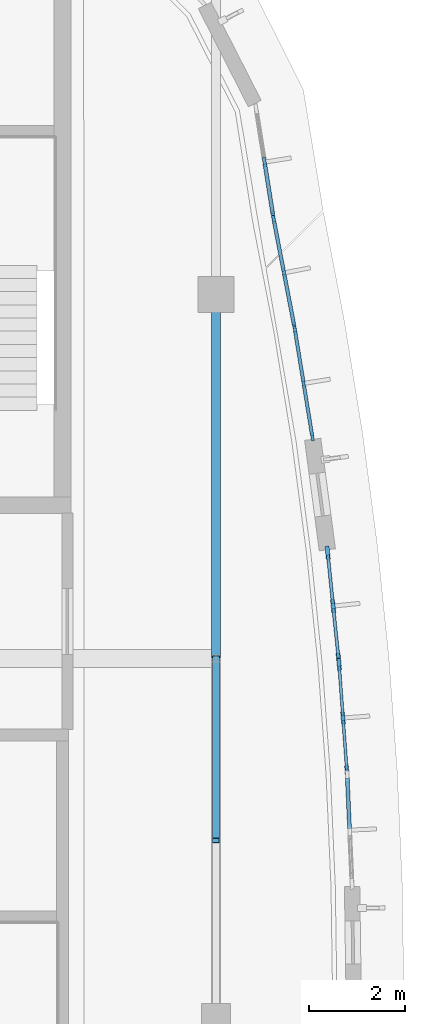
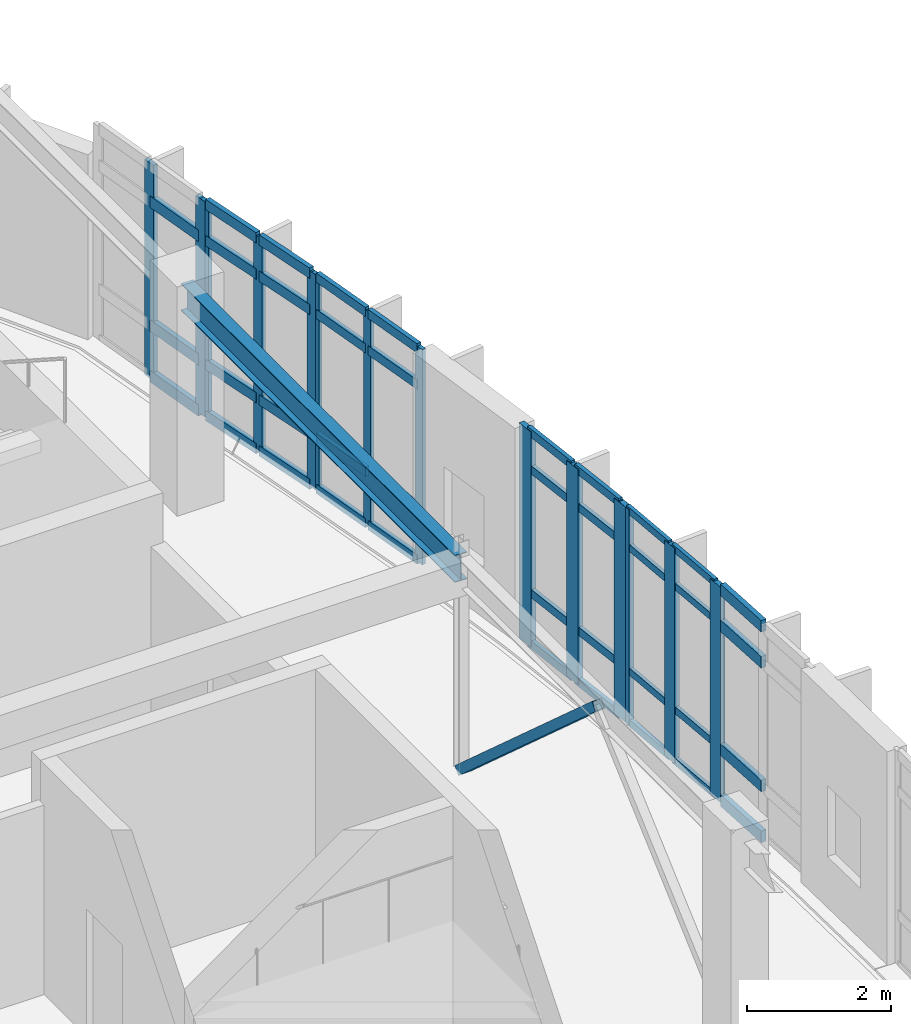
# One storey, part 48 of 105: 54 members, 1 beam, 6 elements without a shape of their own.
"""IFC4 building model written with IfcOpenShell, lengths in metres."""

from ifc_helpers import new_model, si_unit, direction, frame, origin, origin_2d, place, context, subcontext, project, spatial, rectangle, hollow_rectangle, i_section, extrude, material, material_profile, profile_set, type_object, element, aggregate, save


model = new_model("IFC4")

# Units and contexts
model_context = context("Model", 3, precision=1e-05, world=origin(), true_north=direction((0.0, 1.0)))
body_context = subcontext(model_context, "Body", "Model", "MODEL_VIEW")
ifc_project = project(units=[si_unit("LENGTHUNIT", "METRE"), si_unit("AREAUNIT", "SQUARE_METRE"), si_unit("VOLUMEUNIT", "CUBIC_METRE"), si_unit("PLANEANGLEUNIT", "RADIAN"), si_unit("MASSUNIT", "GRAM", prefix="KILO")], contexts=[model_context])

# Site, building, storey
site_placement = place(None, origin())
site = spatial("IfcSite", under=ifc_project, at=site_placement, CompositionType="ELEMENT")
building_placement = place(site_placement, origin())
building = spatial("IfcBuilding", under=site, at=building_placement, Name="Corveleigh Park Community Centre", CompositionType="ELEMENT")
storey_placement = place(building_placement, frame((0.0, 0.0, 8.699951171875)))
storey = spatial("IfcBuildingStorey", under=building, at=storey_placement, Name="L02", CompositionType="ELEMENT", Elevation=8.699951171875)

# Beam
ifc_material_1 = material(Name="Steel S355", Category="steel")
ifc_material_profile_1 = material_profile(ifc_material_1, i_section(OverallWidth=0.19140625, OverallDepth=0.4599609375, WebThickness=0.010009765625, FlangeThickness=0.01611328125, at=origin_2d()), Name="UKB 457x191x82", Category="steel")
ifc_profile_set_1 = profile_set([ifc_material_profile_1], Name="Steel S355")
beam_type = type_object("IfcBeamType", Name="BM-STL-UKB457x82", PredefinedType="BEAM", material=ifc_profile_set_1)
beam_placement = place(storey_placement, frame((168.39990234375, 89.0048828125, 3.412109375), z_axis=(0.0, 1.0, 0.0), x_axis=(-1.0, 0.0, 0.0)))
element("IfcBeam", 1, at=beam_placement, inside=storey, type_object=beam_type, Name="V4 Girder Y", PredefinedType="BEAM", context=body_context, shape_type="SweptSolid", body=[
    extrude(i_section(OverallWidth=0.19140625, OverallDepth=0.4599609375, WebThickness=0.010009765625, FlangeThickness=0.01611328125, at=origin_2d()), origin(), (0.0, 0.0, 1.0), 7.590087890625),
])

# Curtain wall, members
ifc_material_2 = material(Name="Anodised aluminium 6063-T6", Category="aluminium")
curtain_wall_type = type_object("IfcCurtainWallType", Name="CW-SYS-V4-L01", PredefinedType="NOTDEFINED", material=ifc_material_2)
curtain_wall_1_placement = place(storey_placement, origin())
curtain_wall_1 = element("IfcCurtainWall", 2, at=curtain_wall_1_placement, inside=storey, type_object=curtain_wall_type, Name="V4 L02 Curtain Wall 373", PredefinedType="NOTDEFINED")
ifc_material_profile_2 = material_profile(ifc_material_2, rectangle(XDim=0.06005859375, YDim=0.159912109375, at=origin_2d()), Name="ALU-M60x160", Category="aluminium")
ifc_profile_set_2 = profile_set([ifc_material_profile_2], Name="Anodised aluminium 6063-T6")
member_type_1 = type_object("IfcMemberType", Name="CWM-60x160", PredefinedType="MULLION", material=ifc_profile_set_2)
member_1_placement = place(storey_placement, frame((170.0498046875, 95.8583984375, 0.0), z_axis=(0.0, 0.0, 1.0), x_axis=(0.986991410962, 0.160772991165, 0.0)))
member_1 = element("IfcMember", 3, at=member_1_placement, type_object=member_type_1, Name="CW08 mullion 1", PredefinedType="MULLION", context=body_context, shape_type="SweptSolid", body=[
    extrude(rectangle(XDim=0.06005859375, YDim=0.159912109375, at=origin_2d()), origin(), (0.0, 0.0, 1.0), 3.64208984375),
])
member_2_placement = place(storey_placement, frame((170.23193359375, 94.739990234375, 0.0), z_axis=(0.0, 0.0, 1.0), x_axis=(0.986991410962, 0.160772991165, 0.0)))
member_2 = element("IfcMember", 4, at=member_2_placement, type_object=member_type_1, Name="CW08 mullion 2", PredefinedType="MULLION", context=body_context, shape_type="SweptSolid", body=[
    extrude(rectangle(XDim=0.06005859375, YDim=0.159912109375, at=origin_2d()), origin(), (0.0, 0.0, 1.0), 3.64208984375),
])
member_3_placement = place(storey_placement, frame((170.4140625, 93.62158203125, 0.0), z_axis=(0.0, 0.0, 1.0), x_axis=(0.986991410962, 0.160772991165, 0.0)))
member_3 = element("IfcMember", 5, at=member_3_placement, type_object=member_type_1, Name="CW08 mullion 3", PredefinedType="MULLION", context=body_context, shape_type="SweptSolid", body=[
    extrude(rectangle(XDim=0.06005859375, YDim=0.159912109375, at=origin_2d()), origin(), (0.0, 0.0, 1.0), 3.64208984375),
])

curtain_wall_2_placement = place(storey_placement, origin())
curtain_wall_2 = element("IfcCurtainWall", 6, at=curtain_wall_2_placement, inside=storey, type_object=curtain_wall_type, Name="V4 L02 Curtain Wall 374", PredefinedType="NOTDEFINED")
ifc_material_profile_3 = material_profile(ifc_material_2, rectangle(XDim=0.06494140625, YDim=0.179931640625, at=origin_2d()), Name="ALU-M65x180", Category="aluminium")
ifc_profile_set_3 = profile_set([ifc_material_profile_3], Name="Anodised aluminium 6063-T6")
member_type_2 = type_object("IfcMemberType", Name="CWM-65x180", PredefinedType="MULLION", material=ifc_profile_set_3)
member_4_placement = place(storey_placement, frame((169.608154296875, 98.1591796875, 0.0), z_axis=(0.0, 0.0, 1.0), x_axis=(0.981960439775, 0.189086474176, 0.0)))
member_4 = element("IfcMember", 7, at=member_4_placement, type_object=member_type_2, Name="CW08 mullion 1", PredefinedType="MULLION", context=body_context, shape_type="SweptSolid", body=[
    extrude(rectangle(XDim=0.06494140625, YDim=0.179931640625, at=origin_2d()), origin(), (0.0, 0.0, 1.0), 3.64208984375),
])
member_5_placement = place(storey_placement, frame((169.822021484375, 97.048583984375, 0.0), z_axis=(0.0, 0.0, 1.0), x_axis=(0.981960439775, 0.189086474176, 0.0)))
member_5 = element("IfcMember", 8, at=member_5_placement, type_object=member_type_2, Name="CW08 mullion 2", PredefinedType="MULLION", context=body_context, shape_type="SweptSolid", body=[
    extrude(rectangle(XDim=0.06494140625, YDim=0.179931640625, at=origin_2d()), origin(), (0.0, 0.0, 1.0), 3.64208984375),
])
member_6_placement = place(storey_placement, frame((170.035888671875, 95.93798828125, 0.0), z_axis=(0.0, 0.0, 1.0), x_axis=(0.981960439775, 0.189086474176, 0.0)))
member_6 = element("IfcMember", 9, at=member_6_placement, type_object=member_type_2, Name="CW08 mullion 3", PredefinedType="MULLION", context=body_context, shape_type="SweptSolid", body=[
    extrude(rectangle(XDim=0.06494140625, YDim=0.179931640625, at=origin_2d()), origin(), (0.0, 0.0, 1.0), 3.64208984375),
])

curtain_wall_3_placement = place(storey_placement, origin())
curtain_wall_3 = element("IfcCurtainWall", 10, at=curtain_wall_3_placement, inside=storey, type_object=curtain_wall_type, Name="V4 L02 Curtain Wall 375", PredefinedType="NOTDEFINED")
ifc_material_profile_4 = material_profile(ifc_material_2, rectangle(XDim=0.070068359375, YDim=0.199951171875, at=origin_2d()), Name="ALU-M70x200", Category="aluminium")
ifc_profile_set_4 = profile_set([ifc_material_profile_4], Name="Anodised aluminium 6063-T6")
member_type_3 = type_object("IfcMemberType", Name="CWM-70x200", PredefinedType="MULLION", material=ifc_profile_set_4)
member_7_placement = place(storey_placement, frame((169.41650390625, 99.360107421875, 0.0), z_axis=(0.0, 0.0, 1.0), x_axis=(0.987661875101, 0.156601470208, 0.0)))
member_7 = element("IfcMember", 11, at=member_7_placement, type_object=member_type_3, Name="CW08 mullion 2", PredefinedType="MULLION", context=body_context, shape_type="SweptSolid", body=[
    extrude(rectangle(XDim=0.070068359375, YDim=0.199951171875, at=origin_2d()), origin(), (0.0, 0.0, 1.0), 3.64208984375),
])
member_8_placement = place(storey_placement, frame((169.593505859375, 98.24365234375, 0.0), z_axis=(0.0, 0.0, 1.0), x_axis=(0.987661875101, 0.156601470208, 0.0)))
member_8 = element("IfcMember", 12, at=member_8_placement, type_object=member_type_3, Name="CW08 mullion 3", PredefinedType="MULLION", context=body_context, shape_type="SweptSolid", body=[
    extrude(rectangle(XDim=0.070068359375, YDim=0.199951171875, at=origin_2d()), origin(), (0.0, 0.0, 1.0), 3.64208984375),
])

curtain_wall_4_placement = place(storey_placement, origin())
curtain_wall_4 = element("IfcCurtainWall", 13, at=curtain_wall_4_placement, inside=storey, type_object=curtain_wall_type, Name="V4 L02 Curtain Wall 371", PredefinedType="NOTDEFINED")
ifc_material_profile_5 = material_profile(ifc_material_2, rectangle(XDim=0.080078125, YDim=0.25, at=origin_2d()), Name="ALU-M80x250", Category="aluminium")
ifc_profile_set_5 = profile_set([ifc_material_profile_5], Name="Anodised aluminium 6063-T6")
member_type_4 = type_object("IfcMemberType", Name="CWM-80x250", PredefinedType="MULLION", material=ifc_profile_set_5)
member_9_placement = place(storey_placement, frame((170.971923828125, 88.877197265625, 0.0), z_axis=(0.0, 0.0, 1.0), x_axis=(0.997328381483, 0.073048610443, 0.0)))
member_9 = element("IfcMember", 14, at=member_9_placement, type_object=member_type_4, Name="CW08 mullion 1", PredefinedType="MULLION", context=body_context, shape_type="SweptSolid", body=[
    extrude(rectangle(XDim=0.080078125, YDim=0.25, at=origin_2d()), origin(), (0.0, 0.0, 1.0), 3.64208984375),
])
member_10_placement = place(storey_placement, frame((171.053955078125, 87.756591796875, 0.0), z_axis=(0.0, 0.0, 1.0), x_axis=(0.997328381483, 0.073048610443, 0.0)))
member_10 = element("IfcMember", 15, at=member_10_placement, type_object=member_type_4, Name="CW08 mullion 2", PredefinedType="MULLION", context=body_context, shape_type="SweptSolid", body=[
    extrude(rectangle(XDim=0.080078125, YDim=0.25, at=origin_2d()), origin(), (0.0, 0.0, 1.0), 3.64208984375),
])
member_11_placement = place(storey_placement, frame((171.135986328125, 86.635986328125, 0.0), z_axis=(0.0, 0.0, 1.0), x_axis=(0.997328381483, 0.073048610443, 0.0)))
member_11 = element("IfcMember", 16, at=member_11_placement, type_object=member_type_4, Name="CW08 mullion 3", PredefinedType="MULLION", context=body_context, shape_type="SweptSolid", body=[
    extrude(rectangle(XDim=0.080078125, YDim=0.25, at=origin_2d()), origin(), (0.0, 0.0, 1.0), 3.64208984375),
])

curtain_wall_5_placement = place(storey_placement, origin())
curtain_wall_5 = element("IfcCurtainWall", 17, at=curtain_wall_5_placement, inside=storey, type_object=curtain_wall_type, Name="V4 L02 Curtain Wall 372", PredefinedType="NOTDEFINED")
ifc_material_profile_6 = material_profile(ifc_material_2, rectangle(XDim=0.0849609375, YDim=0.27490234375, at=origin_2d()), Name="ALU-M85x275", Category="aluminium")
ifc_profile_set_6 = profile_set([ifc_material_profile_6], Name="Anodised aluminium 6063-T6")
member_type_5 = type_object("IfcMemberType", Name="CWM-85x275", PredefinedType="MULLION", material=ifc_profile_set_6)
member_12_placement = place(storey_placement, frame((170.7333984375, 91.206787109375, 0.0), z_axis=(0.0, 0.0, 1.0), x_axis=(0.994752310371, 0.102312467526, 0.0)))
member_12 = element("IfcMember", 18, at=member_12_placement, type_object=member_type_5, Name="CW08 mullion 1", PredefinedType="MULLION", context=body_context, shape_type="SweptSolid", body=[
    extrude(rectangle(XDim=0.0849609375, YDim=0.27490234375, at=origin_2d()), origin(), (0.0, 0.0, 1.0), 3.64208984375),
])
member_13_placement = place(storey_placement, frame((170.847900390625, 90.092041015625, 0.0), z_axis=(0.0, 0.0, 1.0), x_axis=(0.994752310371, 0.102312467526, 0.0)))
member_13 = element("IfcMember", 19, at=member_13_placement, type_object=member_type_5, Name="CW08 mullion 2", PredefinedType="MULLION", context=body_context, shape_type="SweptSolid", body=[
    extrude(rectangle(XDim=0.0849609375, YDim=0.27490234375, at=origin_2d()), origin(), (0.0, 0.0, 1.0), 3.64208984375),
])
member_14_placement = place(storey_placement, frame((170.962646484375, 88.977294921875, 0.0), z_axis=(0.0, 0.0, 1.0), x_axis=(0.994752310371, 0.102312467526, 0.0)))
member_14 = element("IfcMember", 20, at=member_14_placement, type_object=member_type_5, Name="CW08 mullion 3", PredefinedType="MULLION", context=body_context, shape_type="SweptSolid", body=[
    extrude(rectangle(XDim=0.0849609375, YDim=0.27490234375, at=origin_2d()), origin(), (0.0, 0.0, 1.0), 3.64208984375),
])

# Member
ifc_material_profile_7 = material_profile(ifc_material_2, rectangle(XDim=0.06005859375, YDim=0.1201171875, at=origin_2d()), Name="ALU-T60x120", Category="aluminium")
ifc_profile_set_7 = profile_set([ifc_material_profile_7], Name="Anodised aluminium 6063-T6")
member_type_6 = type_object("IfcMemberType", Name="CWT-60x120", PredefinedType="USERDEFINED", material=ifc_profile_set_7)
member_15_placement = place(storey_placement, frame((170.974853515625, 88.837158203125, 0.030029296875), z_axis=(0.072992665493, -0.997332477554, 0.0), x_axis=(0.997332477554, 0.072992665493, 0.0)))
member_15 = element("IfcMember", 21, at=member_15_placement, type_object=member_type_6, Name="CW08 transom 1.1", ObjectType="TRANSOM", PredefinedType="USERDEFINED", context=body_context, shape_type="SweptSolid", body=[
    extrude(rectangle(XDim=0.06005859375, YDim=0.1201171875, at=origin_2d()), origin(), (0.0, 0.0, 1.0), 1.04345703125),
])

member_16_placement = place(storey_placement, frame((170.974853515625, 88.837158203125, 0.900146484375), z_axis=(0.072992665493, -0.997332477554, 0.0), x_axis=(0.997332477554, 0.072992665493, 0.0)))
member_16 = element("IfcMember", 22, at=member_16_placement, type_object=member_type_6, Name="CW08 transom 1.2", ObjectType="TRANSOM", PredefinedType="USERDEFINED", context=body_context, shape_type="SweptSolid", body=[
    extrude(rectangle(XDim=0.06005859375, YDim=0.1201171875, at=origin_2d()), origin(), (0.0, 0.0, 1.0), 1.04345703125),
])

member_17_placement = place(storey_placement, frame((170.974853515625, 88.837158203125, 2.991943359375), z_axis=(0.072992665493, -0.997332477554, 0.0), x_axis=(0.997332477554, 0.072992665493, 0.0)))
member_17 = element("IfcMember", 23, at=member_17_placement, type_object=member_type_6, Name="CW08 transom 1.3", ObjectType="TRANSOM", PredefinedType="USERDEFINED", context=body_context, shape_type="SweptSolid", body=[
    extrude(rectangle(XDim=0.06005859375, YDim=0.1201171875, at=origin_2d()), origin(), (0.0, 0.0, 1.0), 1.04345703125),
])

member_18_placement = place(storey_placement, frame((170.974853515625, 88.837158203125, 3.612060546875), z_axis=(0.072992665493, -0.997332477554, 0.0), x_axis=(0.997332477554, 0.072992665493, 0.0)))
member_18 = element("IfcMember", 24, at=member_18_placement, type_object=member_type_6, Name="CW08 transom 1.4", ObjectType="TRANSOM", PredefinedType="USERDEFINED", context=body_context, shape_type="SweptSolid", body=[
    extrude(rectangle(XDim=0.06005859375, YDim=0.1201171875, at=origin_2d()), origin(), (0.0, 0.0, 1.0), 1.04345703125),
])

member_19_placement = place(storey_placement, frame((171.056884765625, 87.716552734375, 0.030029296875), z_axis=(0.072992665493, -0.997332477554, 0.0), x_axis=(0.997332477554, 0.072992665493, 0.0)))
member_19 = element("IfcMember", 25, at=member_19_placement, type_object=member_type_6, Name="CW08 transom 2.1", ObjectType="TRANSOM", PredefinedType="USERDEFINED", context=body_context, shape_type="SweptSolid", body=[
    extrude(rectangle(XDim=0.06005859375, YDim=0.1201171875, at=origin_2d()), origin(), (0.0, 0.0, 1.0), 1.04345703125),
])

member_20_placement = place(storey_placement, frame((171.056884765625, 87.716552734375, 0.900146484375), z_axis=(0.072992665493, -0.997332477554, 0.0), x_axis=(0.997332477554, 0.072992665493, 0.0)))
member_20 = element("IfcMember", 26, at=member_20_placement, type_object=member_type_6, Name="CW08 transom 2.2", ObjectType="TRANSOM", PredefinedType="USERDEFINED", context=body_context, shape_type="SweptSolid", body=[
    extrude(rectangle(XDim=0.06005859375, YDim=0.1201171875, at=origin_2d()), origin(), (0.0, 0.0, 1.0), 1.04345703125),
])

member_21_placement = place(storey_placement, frame((171.056884765625, 87.716552734375, 2.991943359375), z_axis=(0.072992665493, -0.997332477554, 0.0), x_axis=(0.997332477554, 0.072992665493, 0.0)))
member_21 = element("IfcMember", 27, at=member_21_placement, type_object=member_type_6, Name="CW08 transom 2.3", ObjectType="TRANSOM", PredefinedType="USERDEFINED", context=body_context, shape_type="SweptSolid", body=[
    extrude(rectangle(XDim=0.06005859375, YDim=0.1201171875, at=origin_2d()), origin(), (0.0, 0.0, 1.0), 1.04345703125),
])

member_22_placement = place(storey_placement, frame((171.056884765625, 87.716552734375, 3.612060546875), z_axis=(0.072992665493, -0.997332477554, 0.0), x_axis=(0.997332477554, 0.072992665493, 0.0)))
member_22 = element("IfcMember", 28, at=member_22_placement, type_object=member_type_6, Name="CW08 transom 2.4", ObjectType="TRANSOM", PredefinedType="USERDEFINED", context=body_context, shape_type="SweptSolid", body=[
    extrude(rectangle(XDim=0.06005859375, YDim=0.1201171875, at=origin_2d()), origin(), (0.0, 0.0, 1.0), 1.04345703125),
])

aggregate(curtain_wall_4, [member_9, member_10, member_11, member_15, member_16, member_17, member_18, member_19, member_20, member_21, member_22])

ifc_material_profile_8 = material_profile(ifc_material_2, rectangle(XDim=0.06494140625, YDim=0.139892578125, at=origin_2d()), Name="ALU-T65x140", Category="aluminium")
ifc_profile_set_8 = profile_set([ifc_material_profile_8], Name="Anodised aluminium 6063-T6")
member_type_7 = type_object("IfcMemberType", Name="CWT-65x140", PredefinedType="USERDEFINED", material=ifc_profile_set_8)
member_23_placement = place(storey_placement, frame((170.73779296875, 91.16455078125, 0.032470703125), z_axis=(0.102304000154, -0.994753181223, 0.0), x_axis=(0.994753181223, 0.102304000154, 0.0)))
member_23 = element("IfcMember", 29, at=member_23_placement, type_object=member_type_7, Name="CW08 transom 1.1", ObjectType="TRANSOM", PredefinedType="USERDEFINED", context=body_context, shape_type="SweptSolid", body=[
    extrude(rectangle(XDim=0.06494140625, YDim=0.139892578125, at=origin_2d()), origin(), (0.0, 0.0, 1.0), 1.03564453125),
])

member_24_placement = place(storey_placement, frame((170.73779296875, 91.16455078125, 0.900146484375), z_axis=(0.102304000154, -0.994753181223, 0.0), x_axis=(0.994753181223, 0.102304000154, 0.0)))
member_24 = element("IfcMember", 30, at=member_24_placement, type_object=member_type_7, Name="CW08 transom 1.2", ObjectType="TRANSOM", PredefinedType="USERDEFINED", context=body_context, shape_type="SweptSolid", body=[
    extrude(rectangle(XDim=0.06494140625, YDim=0.139892578125, at=origin_2d()), origin(), (0.0, 0.0, 1.0), 1.03564453125),
])

member_25_placement = place(storey_placement, frame((170.73779296875, 91.16455078125, 2.991943359375), z_axis=(0.102304000154, -0.994753181223, 0.0), x_axis=(0.994753181223, 0.102304000154, 0.0)))
member_25 = element("IfcMember", 31, at=member_25_placement, type_object=member_type_7, Name="CW08 transom 1.3", ObjectType="TRANSOM", PredefinedType="USERDEFINED", context=body_context, shape_type="SweptSolid", body=[
    extrude(rectangle(XDim=0.06494140625, YDim=0.139892578125, at=origin_2d()), origin(), (0.0, 0.0, 1.0), 1.03564453125),
])

member_26_placement = place(storey_placement, frame((170.73779296875, 91.16455078125, 3.609619140625), z_axis=(0.102304000154, -0.994753181223, 0.0), x_axis=(0.994753181223, 0.102304000154, 0.0)))
member_26 = element("IfcMember", 32, at=member_26_placement, type_object=member_type_7, Name="CW08 transom 1.4", ObjectType="TRANSOM", PredefinedType="USERDEFINED", context=body_context, shape_type="SweptSolid", body=[
    extrude(rectangle(XDim=0.06494140625, YDim=0.139892578125, at=origin_2d()), origin(), (0.0, 0.0, 1.0), 1.03564453125),
])

member_27_placement = place(storey_placement, frame((170.852294921875, 90.0498046875, 0.032470703125), z_axis=(0.102304000154, -0.994753181223, 0.0), x_axis=(0.994753181223, 0.102304000154, 0.0)))
member_27 = element("IfcMember", 33, at=member_27_placement, type_object=member_type_7, Name="CW08 transom 2.1", ObjectType="TRANSOM", PredefinedType="USERDEFINED", context=body_context, shape_type="SweptSolid", body=[
    extrude(rectangle(XDim=0.06494140625, YDim=0.139892578125, at=origin_2d()), origin(), (0.0, 0.0, 1.0), 1.03564453125),
])

member_28_placement = place(storey_placement, frame((170.852294921875, 90.0498046875, 0.900146484375), z_axis=(0.102304000154, -0.994753181223, 0.0), x_axis=(0.994753181223, 0.102304000154, 0.0)))
member_28 = element("IfcMember", 34, at=member_28_placement, type_object=member_type_7, Name="CW08 transom 2.2", ObjectType="TRANSOM", PredefinedType="USERDEFINED", context=body_context, shape_type="SweptSolid", body=[
    extrude(rectangle(XDim=0.06494140625, YDim=0.139892578125, at=origin_2d()), origin(), (0.0, 0.0, 1.0), 1.03564453125),
])

member_29_placement = place(storey_placement, frame((170.852294921875, 90.0498046875, 2.991943359375), z_axis=(0.102304000154, -0.994753181223, 0.0), x_axis=(0.994753181223, 0.102304000154, 0.0)))
member_29 = element("IfcMember", 35, at=member_29_placement, type_object=member_type_7, Name="CW08 transom 2.3", ObjectType="TRANSOM", PredefinedType="USERDEFINED", context=body_context, shape_type="SweptSolid", body=[
    extrude(rectangle(XDim=0.06494140625, YDim=0.139892578125, at=origin_2d()), origin(), (0.0, 0.0, 1.0), 1.03564453125),
])

member_30_placement = place(storey_placement, frame((170.852294921875, 90.0498046875, 3.609619140625), z_axis=(0.102304000154, -0.994753181223, 0.0), x_axis=(0.994753181223, 0.102304000154, 0.0)))
member_30 = element("IfcMember", 36, at=member_30_placement, type_object=member_type_7, Name="CW08 transom 2.4", ObjectType="TRANSOM", PredefinedType="USERDEFINED", context=body_context, shape_type="SweptSolid", body=[
    extrude(rectangle(XDim=0.06494140625, YDim=0.139892578125, at=origin_2d()), origin(), (0.0, 0.0, 1.0), 1.03564453125),
])

aggregate(curtain_wall_5, [member_12, member_13, member_14, member_23, member_24, member_25, member_26, member_27, member_28, member_29, member_30])

ifc_material_profile_9 = material_profile(ifc_material_2, rectangle(XDim=0.070068359375, YDim=0.155029296875, at=origin_2d()), Name="ALU-T70x155", Category="aluminium")
ifc_profile_set_9 = profile_set([ifc_material_profile_9], Name="Anodised aluminium 6063-T6")
member_type_8 = type_object("IfcMemberType", Name="CWT-70x155", PredefinedType="USERDEFINED", material=ifc_profile_set_9)
member_31_placement = place(storey_placement, frame((170.0546875, 95.828857421875, 0.03515625), z_axis=(0.160819895151, -0.986983769534, 0.0), x_axis=(0.986983769534, 0.160819895151, 0.0)))
member_31 = element("IfcMember", 37, at=member_31_placement, type_object=member_type_8, Name="CW08 transom 1.1", ObjectType="TRANSOM", PredefinedType="USERDEFINED", context=body_context, shape_type="SweptSolid", body=[
    extrude(rectangle(XDim=0.070068359375, YDim=0.155029296875, at=origin_2d()), origin(), (0.0, 0.0, 1.0), 1.0732421875),
])

member_32_placement = place(storey_placement, frame((170.0546875, 95.828857421875, 0.900146484375), z_axis=(0.160819895151, -0.986983769534, 0.0), x_axis=(0.986983769534, 0.160819895151, 0.0)))
member_32 = element("IfcMember", 38, at=member_32_placement, type_object=member_type_8, Name="CW08 transom 1.2", ObjectType="TRANSOM", PredefinedType="USERDEFINED", context=body_context, shape_type="SweptSolid", body=[
    extrude(rectangle(XDim=0.070068359375, YDim=0.155029296875, at=origin_2d()), origin(), (0.0, 0.0, 1.0), 1.0732421875),
])

member_33_placement = place(storey_placement, frame((170.0546875, 95.828857421875, 2.991943359375), z_axis=(0.160819895151, -0.986983769534, 0.0), x_axis=(0.986983769534, 0.160819895151, 0.0)))
member_33 = element("IfcMember", 39, at=member_33_placement, type_object=member_type_8, Name="CW08 transom 1.3", ObjectType="TRANSOM", PredefinedType="USERDEFINED", context=body_context, shape_type="SweptSolid", body=[
    extrude(rectangle(XDim=0.070068359375, YDim=0.155029296875, at=origin_2d()), origin(), (0.0, 0.0, 1.0), 1.0732421875),
])

member_34_placement = place(storey_placement, frame((170.0546875, 95.828857421875, 3.60693359375), z_axis=(0.160819895151, -0.986983769534, 0.0), x_axis=(0.986983769534, 0.160819895151, 0.0)))
member_34 = element("IfcMember", 40, at=member_34_placement, type_object=member_type_8, Name="CW08 transom 1.4", ObjectType="TRANSOM", PredefinedType="USERDEFINED", context=body_context, shape_type="SweptSolid", body=[
    extrude(rectangle(XDim=0.070068359375, YDim=0.155029296875, at=origin_2d()), origin(), (0.0, 0.0, 1.0), 1.0732421875),
])

member_35_placement = place(storey_placement, frame((170.23681640625, 94.71044921875, 0.03515625), z_axis=(0.160819895151, -0.986983769534, 0.0), x_axis=(0.986983769534, 0.160819895151, 0.0)))
member_35 = element("IfcMember", 41, at=member_35_placement, type_object=member_type_8, Name="CW08 transom 2.1", ObjectType="TRANSOM", PredefinedType="USERDEFINED", context=body_context, shape_type="SweptSolid", body=[
    extrude(rectangle(XDim=0.070068359375, YDim=0.155029296875, at=origin_2d()), origin(), (0.0, 0.0, 1.0), 1.0732421875),
])

member_36_placement = place(storey_placement, frame((170.23681640625, 94.71044921875, 0.900146484375), z_axis=(0.160819895151, -0.986983769534, 0.0), x_axis=(0.986983769534, 0.160819895151, 0.0)))
member_36 = element("IfcMember", 42, at=member_36_placement, type_object=member_type_8, Name="CW08 transom 2.2", ObjectType="TRANSOM", PredefinedType="USERDEFINED", context=body_context, shape_type="SweptSolid", body=[
    extrude(rectangle(XDim=0.070068359375, YDim=0.155029296875, at=origin_2d()), origin(), (0.0, 0.0, 1.0), 1.0732421875),
])

member_37_placement = place(storey_placement, frame((170.23681640625, 94.71044921875, 2.991943359375), z_axis=(0.160819895151, -0.986983769534, 0.0), x_axis=(0.986983769534, 0.160819895151, 0.0)))
member_37 = element("IfcMember", 43, at=member_37_placement, type_object=member_type_8, Name="CW08 transom 2.3", ObjectType="TRANSOM", PredefinedType="USERDEFINED", context=body_context, shape_type="SweptSolid", body=[
    extrude(rectangle(XDim=0.070068359375, YDim=0.155029296875, at=origin_2d()), origin(), (0.0, 0.0, 1.0), 1.0732421875),
])

member_38_placement = place(storey_placement, frame((170.23681640625, 94.71044921875, 3.60693359375), z_axis=(0.160819895151, -0.986983769534, 0.0), x_axis=(0.986983769534, 0.160819895151, 0.0)))
member_38 = element("IfcMember", 44, at=member_38_placement, type_object=member_type_8, Name="CW08 transom 2.4", ObjectType="TRANSOM", PredefinedType="USERDEFINED", context=body_context, shape_type="SweptSolid", body=[
    extrude(rectangle(XDim=0.070068359375, YDim=0.155029296875, at=origin_2d()), origin(), (0.0, 0.0, 1.0), 1.0732421875),
])

aggregate(curtain_wall_1, [member_1, member_2, member_3, member_31, member_32, member_33, member_34, member_35, member_36, member_37, member_38])

ifc_material_profile_10 = material_profile(ifc_material_2, rectangle(XDim=0.074951171875, YDim=0.175048828125, at=origin_2d()), Name="ALU-T75x175", Category="aluminium")
ifc_profile_set_10 = profile_set([ifc_material_profile_10], Name="Anodised aluminium 6063-T6")
member_type_9 = type_object("IfcMemberType", Name="CWT-75x175", PredefinedType="USERDEFINED", material=ifc_profile_set_10)
member_39_placement = place(storey_placement, frame((169.6142578125, 98.127197265625, 0.03759765625), z_axis=(0.189153152026, -0.981947597929, 0.0), x_axis=(0.981947597929, 0.189153152026, 0.0)))
member_39 = element("IfcMember", 45, at=member_39_placement, type_object=member_type_9, Name="CW08 transom 1.1", ObjectType="TRANSOM", PredefinedType="USERDEFINED", context=body_context, shape_type="SweptSolid", body=[
    extrude(rectangle(XDim=0.074951171875, YDim=0.175048828125, at=origin_2d()), origin(), (0.0, 0.0, 1.0), 1.066162109375),
])

member_40_placement = place(storey_placement, frame((169.6142578125, 98.127197265625, 0.900146484375), z_axis=(0.189153152026, -0.981947597929, 0.0), x_axis=(0.981947597929, 0.189153152026, 0.0)))
member_40 = element("IfcMember", 46, at=member_40_placement, type_object=member_type_9, Name="CW08 transom 1.2", ObjectType="TRANSOM", PredefinedType="USERDEFINED", context=body_context, shape_type="SweptSolid", body=[
    extrude(rectangle(XDim=0.074951171875, YDim=0.175048828125, at=origin_2d()), origin(), (0.0, 0.0, 1.0), 1.066162109375),
])

member_41_placement = place(storey_placement, frame((169.6142578125, 98.127197265625, 2.991943359375), z_axis=(0.189153152026, -0.981947597929, 0.0), x_axis=(0.981947597929, 0.189153152026, 0.0)))
member_41 = element("IfcMember", 47, at=member_41_placement, type_object=member_type_9, Name="CW08 transom 1.3", ObjectType="TRANSOM", PredefinedType="USERDEFINED", context=body_context, shape_type="SweptSolid", body=[
    extrude(rectangle(XDim=0.074951171875, YDim=0.175048828125, at=origin_2d()), origin(), (0.0, 0.0, 1.0), 1.066162109375),
])

member_42_placement = place(storey_placement, frame((169.6142578125, 98.127197265625, 3.6044921875), z_axis=(0.189153152026, -0.981947597929, 0.0), x_axis=(0.981947597929, 0.189153152026, 0.0)))
member_42 = element("IfcMember", 48, at=member_42_placement, type_object=member_type_9, Name="CW08 transom 1.4", ObjectType="TRANSOM", PredefinedType="USERDEFINED", context=body_context, shape_type="SweptSolid", body=[
    extrude(rectangle(XDim=0.074951171875, YDim=0.175048828125, at=origin_2d()), origin(), (0.0, 0.0, 1.0), 1.066162109375),
])

member_43_placement = place(storey_placement, frame((169.828125, 97.0166015625, 0.03759765625), z_axis=(0.189153152026, -0.981947597929, 0.0), x_axis=(0.981947597929, 0.189153152026, 0.0)))
member_43 = element("IfcMember", 49, at=member_43_placement, type_object=member_type_9, Name="CW08 transom 2.1", ObjectType="TRANSOM", PredefinedType="USERDEFINED", context=body_context, shape_type="SweptSolid", body=[
    extrude(rectangle(XDim=0.074951171875, YDim=0.175048828125, at=origin_2d()), origin(), (0.0, 0.0, 1.0), 1.066162109375),
])

member_44_placement = place(storey_placement, frame((169.828125, 97.0166015625, 0.900146484375), z_axis=(0.189153152026, -0.981947597929, 0.0), x_axis=(0.981947597929, 0.189153152026, 0.0)))
member_44 = element("IfcMember", 50, at=member_44_placement, type_object=member_type_9, Name="CW08 transom 2.2", ObjectType="TRANSOM", PredefinedType="USERDEFINED", context=body_context, shape_type="SweptSolid", body=[
    extrude(rectangle(XDim=0.074951171875, YDim=0.175048828125, at=origin_2d()), origin(), (0.0, 0.0, 1.0), 1.066162109375),
])

member_45_placement = place(storey_placement, frame((169.828125, 97.0166015625, 2.991943359375), z_axis=(0.189153152026, -0.981947597929, 0.0), x_axis=(0.981947597929, 0.189153152026, 0.0)))
member_45 = element("IfcMember", 51, at=member_45_placement, type_object=member_type_9, Name="CW08 transom 2.3", ObjectType="TRANSOM", PredefinedType="USERDEFINED", context=body_context, shape_type="SweptSolid", body=[
    extrude(rectangle(XDim=0.074951171875, YDim=0.175048828125, at=origin_2d()), origin(), (0.0, 0.0, 1.0), 1.066162109375),
])

member_46_placement = place(storey_placement, frame((169.828125, 97.0166015625, 3.6044921875), z_axis=(0.189153152026, -0.981947597929, 0.0), x_axis=(0.981947597929, 0.189153152026, 0.0)))
member_46 = element("IfcMember", 52, at=member_46_placement, type_object=member_type_9, Name="CW08 transom 2.4", ObjectType="TRANSOM", PredefinedType="USERDEFINED", context=body_context, shape_type="SweptSolid", body=[
    extrude(rectangle(XDim=0.074951171875, YDim=0.175048828125, at=origin_2d()), origin(), (0.0, 0.0, 1.0), 1.066162109375),
])

aggregate(curtain_wall_2, [member_4, member_5, member_6, member_39, member_40, member_41, member_42, member_43, member_44, member_45, member_46])

# Curtain wall, members
curtain_wall_6_placement = place(storey_placement, origin())
curtain_wall_6 = element("IfcCurtainWall", 53, at=curtain_wall_6_placement, inside=storey, type_object=curtain_wall_type, Name="V4 L02 Curtain Wall 370", PredefinedType="NOTDEFINED")
ifc_material_profile_11 = material_profile(ifc_material_2, rectangle(XDim=0.080078125, YDim=0.195068359375, at=origin_2d()), Name="ALU-T80x195", Category="aluminium")
ifc_profile_set_11 = profile_set([ifc_material_profile_11], Name="Anodised aluminium 6063-T6")
member_type_10 = type_object("IfcMemberType", Name="CWT-80x195", PredefinedType="USERDEFINED", material=ifc_profile_set_11)
member_47_placement = place(storey_placement, frame((171.143310546875, 86.503173828125, 0.0400390625), z_axis=(0.044374850157, -0.999014951176, 0.0), x_axis=(0.999014951176, 0.044374850157, 0.0)))
member_47 = element("IfcMember", 54, at=member_47_placement, type_object=member_type_10, Name="CW08 transom 1.1", ObjectType="TRANSOM", PredefinedType="USERDEFINED", context=body_context, shape_type="SweptSolid", body=[
    extrude(rectangle(XDim=0.080078125, YDim=0.195068359375, at=origin_2d()), origin(), (0.0, 0.0, 1.0), 1.05078125),
])
member_48_placement = place(storey_placement, frame((171.143310546875, 86.503173828125, 0.900146484375), z_axis=(0.044374850157, -0.999014951176, 0.0), x_axis=(0.999014951176, 0.044374850157, 0.0)))
member_48 = element("IfcMember", 55, at=member_48_placement, type_object=member_type_10, Name="CW08 transom 1.2", ObjectType="TRANSOM", PredefinedType="USERDEFINED", context=body_context, shape_type="SweptSolid", body=[
    extrude(rectangle(XDim=0.080078125, YDim=0.195068359375, at=origin_2d()), origin(), (0.0, 0.0, 1.0), 1.05078125),
])
member_49_placement = place(storey_placement, frame((171.143310546875, 86.503173828125, 2.991943359375), z_axis=(0.044374850157, -0.999014951176, 0.0), x_axis=(0.999014951176, 0.044374850157, 0.0)))
member_49 = element("IfcMember", 56, at=member_49_placement, type_object=member_type_10, Name="CW08 transom 1.3", ObjectType="TRANSOM", PredefinedType="USERDEFINED", context=body_context, shape_type="SweptSolid", body=[
    extrude(rectangle(XDim=0.080078125, YDim=0.195068359375, at=origin_2d()), origin(), (0.0, 0.0, 1.0), 1.05078125),
])
member_50_placement = place(storey_placement, frame((171.143310546875, 86.503173828125, 3.60205078125), z_axis=(0.044374850157, -0.999014951176, 0.0), x_axis=(0.999014951176, 0.044374850157, 0.0)))
member_50 = element("IfcMember", 57, at=member_50_placement, type_object=member_type_10, Name="CW08 transom 1.4", ObjectType="TRANSOM", PredefinedType="USERDEFINED", context=body_context, shape_type="SweptSolid", body=[
    extrude(rectangle(XDim=0.080078125, YDim=0.195068359375, at=origin_2d()), origin(), (0.0, 0.0, 1.0), 1.05078125),
])
aggregate(curtain_wall_6, [member_47, member_48, member_49, member_50])

# Member
member_51_placement = place(storey_placement, frame((169.421875, 99.325439453125, 0.0400390625), z_axis=(0.156778237517, -0.987633831053, 0.0), x_axis=(0.987633831053, 0.156778237517, 0.0)))
member_51 = element("IfcMember", 58, at=member_51_placement, type_object=member_type_10, Name="CW08 transom 2.1", ObjectType="TRANSOM", PredefinedType="USERDEFINED", context=body_context, shape_type="SweptSolid", body=[
    extrude(rectangle(XDim=0.080078125, YDim=0.195068359375, at=origin_2d()), origin(), (0.0, 0.0, 1.0), 1.060546875),
])

member_52_placement = place(storey_placement, frame((169.421875, 99.325439453125, 0.900146484375), z_axis=(0.156778237517, -0.987633831053, 0.0), x_axis=(0.987633831053, 0.156778237517, 0.0)))
member_52 = element("IfcMember", 59, at=member_52_placement, type_object=member_type_10, Name="CW08 transom 2.2", ObjectType="TRANSOM", PredefinedType="USERDEFINED", context=body_context, shape_type="SweptSolid", body=[
    extrude(rectangle(XDim=0.080078125, YDim=0.195068359375, at=origin_2d()), origin(), (0.0, 0.0, 1.0), 1.060546875),
])

member_53_placement = place(storey_placement, frame((169.421875, 99.325439453125, 2.991943359375), z_axis=(0.156778237517, -0.987633831053, 0.0), x_axis=(0.987633831053, 0.156778237517, 0.0)))
member_53 = element("IfcMember", 60, at=member_53_placement, type_object=member_type_10, Name="CW08 transom 2.3", ObjectType="TRANSOM", PredefinedType="USERDEFINED", context=body_context, shape_type="SweptSolid", body=[
    extrude(rectangle(XDim=0.080078125, YDim=0.195068359375, at=origin_2d()), origin(), (0.0, 0.0, 1.0), 1.060546875),
])

aggregate(curtain_wall_3, [member_7, member_8, member_51, member_52, member_53])

ifc_material_profile_12 = material_profile(ifc_material_1, hollow_rectangle(XDim=0.14990234375, YDim=0.14990234375, WallThickness=0.008056640625, at=origin_2d()), Name="SHS 150x150x8.0", Category="steel")
ifc_profile_set_12 = profile_set([ifc_material_profile_12], Name="Steel S355")
member_type_11 = type_object("IfcMemberType", Name="MEM-BRC-SHS150", PredefinedType="BRACE", material=ifc_profile_set_12)
member_54_placement = place(storey_placement, frame((168.39990234375, 89.0, 0.0), z_axis=(0.0, -0.746016744516, 0.665927185886), x_axis=(1.0, 0.0, 0.0)))
element("IfcMember", 61, at=member_54_placement, inside=storey, type_object=member_type_11, Name="Spine chevron brace", PredefinedType="BRACE", context=body_context, shape_type="SweptSolid", body=[
    extrude(hollow_rectangle(XDim=0.14990234375, YDim=0.14990234375, WallThickness=0.008056640625, at=origin_2d()), origin(), (0.0, 0.0, 1.0), 5.09375),
])

save(model, "model.ifc")
